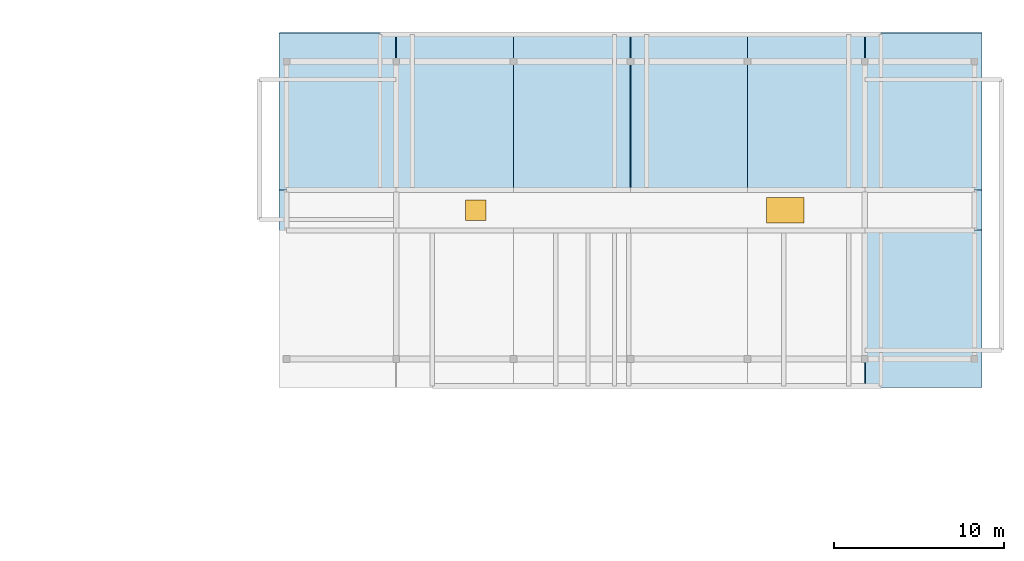
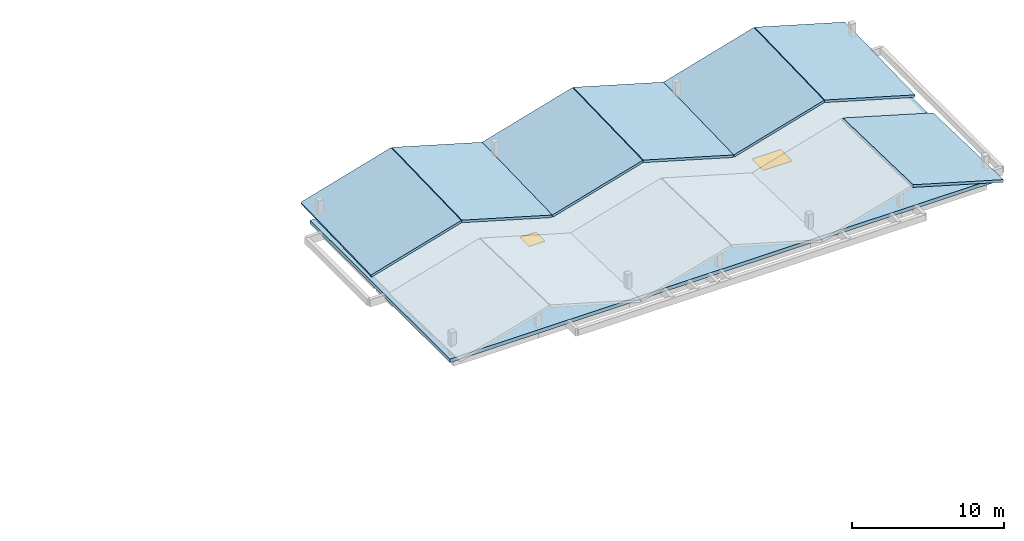
# One storey, part 6 of 21: 8 slabs, 2 windows, 2 openings.
"""IFC4 building model written with IfcOpenShell, lengths in metres."""

from ifc_helpers import new_model, si_unit, direction, frame, origin, origin_2d, place, context, subcontext, project, spatial, polyline, rectangle, outline, extrude, material, layer, layer_set, type_object, element, fill, save


model = new_model("IFC4")

# Units and contexts
model_context = context("Model", 3, precision=1e-05, world=origin(), true_north=direction((0.0, 1.0)))
body_context = subcontext(model_context, "Body", "Model", "MODEL_VIEW")
ifc_project = project(units=[si_unit("LENGTHUNIT", "METRE"), si_unit("AREAUNIT", "SQUARE_METRE"), si_unit("VOLUMEUNIT", "CUBIC_METRE"), si_unit("PLANEANGLEUNIT", "RADIAN"), si_unit("MASSUNIT", "GRAM", prefix="KILO")], contexts=[model_context])

# Site, building, storey
site_placement = place(None, origin())
site = spatial("IfcSite", under=ifc_project, at=site_placement, CompositionType="ELEMENT")
building_placement = place(site_placement, origin())
building = spatial("IfcBuilding", under=site, at=building_placement, Name="Zavelmont Quarter", CompositionType="ELEMENT")
storey_placement = place(building_placement, frame((0.0, 0.0, 36.800048828125)))
storey = spatial("IfcBuildingStorey", under=building, at=storey_placement, Name="L11", CompositionType="ELEMENT", Elevation=36.800048828125)

# Slabs
ifc_material_1 = material(Name="White architectural precast concrete C40/50", Category="concrete")
ifc_layer_1 = layer(ifc_material_1, 0.199951171875)
ifc_layer_set_1 = layer_set([ifc_layer_1], Name="White architectural precast concrete C40/50")
slab_type_1 = type_object("IfcSlabType", Name="CRCN1", PredefinedType="ROOF", material=ifc_layer_set_1)
slab_1_placement = place(storey_placement, frame((126.60009765625, 108.0, 0.449951171875), z_axis=(-0.278263518709, -0.02595011236, 0.960154157323), x_axis=(0.960477608597, 0.0, 0.278357258542)))
element("IfcSlab", 1, at=slab_1_placement, inside=storey, type_object=slab_type_1, Name="Block C pleated crown roof CRCN1", PredefinedType="ROOF", context=body_context, shape_type="SweptSolid", body=[
    extrude(outline(polyline([(0.0, 0.0), (7.1525592948565135, -6.938893903907228e-18), (7.222148609492001, 9.25311608742096), (0.06958931463548745, 9.253116087420961), (0.0, 0.0)])), origin(), (0.0, 0.0, -1.0), 0.199951171875),
])
ifc_layer_2 = layer(ifc_material_1, 0.199951171875)
ifc_layer_set_2 = layer_set([ifc_layer_2], Name="White architectural precast concrete C40/50")
slab_type_2 = type_object("IfcSlabType", Name="CRCN2", PredefinedType="ROOF", material=ifc_layer_set_2)
slab_2_placement = place(storey_placement, frame((133.530029296875, 108.0, 2.44091796875), z_axis=(0.278263518709, -0.02595011236, 0.960154157323), x_axis=(0.960477608597, 0.0, -0.278357258542)))
element("IfcSlab", 2, at=slab_2_placement, inside=storey, type_object=slab_type_2, Name="Block C pleated crown roof CRCN2", PredefinedType="ROOF", context=body_context, shape_type="SweptSolid", body=[
    extrude(outline(polyline([(0.0, 0.0), (7.1525592948565135, 6.938893903907228e-18), (7.0829699802210255, 9.253116087420961), (-0.06958931463548745, 9.253116087420961), (0.0, 0.0)])), origin(), (0.0, 0.0, -1.0), 0.199951171875),
])
ifc_layer_3 = layer(ifc_material_1, 0.199951171875)
ifc_layer_set_3 = layer_set([ifc_layer_3], Name="White architectural precast concrete C40/50")
slab_type_3 = type_object("IfcSlabType", Name="CRCN3", PredefinedType="ROOF", material=ifc_layer_set_3)
slab_3_placement = place(storey_placement, frame((140.39990234375, 108.0, 0.449951171875), z_axis=(-0.278254395807, -0.025950183764, 0.960156799266), x_axis=(0.960480253212, 0.0, 0.278348133082)))
element("IfcSlab", 3, at=slab_3_placement, inside=storey, type_object=slab_type_3, Name="Block C pleated crown roof CRCN3", PredefinedType="ROOF", context=body_context, shape_type="SweptSolid", body=[
    extrude(outline(polyline([(0.0, 0.0), (7.1527937867830085, 0.0), (7.222380820053628, 9.253116104577991), (0.06958703327061955, 9.253116104577991), (0.0, 0.0)])), origin(), (0.0, 0.0, -1.0), 0.199951171875),
])
ifc_layer_4 = layer(ifc_material_1, 0.199951171875)
ifc_layer_set_4 = layer_set([ifc_layer_4], Name="White architectural precast concrete C40/50")
slab_type_4 = type_object("IfcSlabType", Name="CRCN4", PredefinedType="ROOF", material=ifc_layer_set_4)
slab_4_placement = place(storey_placement, frame((147.330078125, 108.0, 2.44091796875), z_axis=(0.278263518709, -0.02595011236, 0.960154157323), x_axis=(0.960477608597, 0.0, -0.278357258542)))
element("IfcSlab", 4, at=slab_4_placement, inside=storey, type_object=slab_type_4, Name="Block C pleated crown roof CRCN4", PredefinedType="ROOF", context=body_context, shape_type="SweptSolid", body=[
    extrude(outline(polyline([(0.0, 0.0), (7.1525592948565135, 6.938893903907228e-18), (7.0829699802210255, 9.253116087420961), (-0.06958931463548745, 9.253116087420961), (0.0, 0.0)])), origin(), (0.0, 0.0, -1.0), 0.199951171875),
])
ifc_layer_5 = layer(ifc_material_1, 0.199951171875)
ifc_layer_set_5 = layer_set([ifc_layer_5], Name="White architectural precast concrete C40/50")
slab_type_5 = type_object("IfcSlabType", Name="CRCN5", PredefinedType="ROOF", material=ifc_layer_set_5)
slab_5_placement = place(storey_placement, frame((154.199951171875, 108.0, 0.449951171875), z_axis=(-0.278254395807, -0.025950183764, 0.960156799266), x_axis=(0.960480253212, 0.0, 0.278348133082)))
element("IfcSlab", 5, at=slab_5_placement, inside=storey, type_object=slab_type_5, Name="Block C pleated crown roof CRCN5", PredefinedType="ROOF", context=body_context, shape_type="SweptSolid", body=[
    extrude(outline(polyline([(0.0, 0.0), (7.1527937867830085, 0.0), (7.222380820053628, 9.253116104577991), (0.06958703327061955, 9.253116104577991), (0.0, 0.0)])), origin(), (0.0, 0.0, -1.0), 0.199951171875),
])
ifc_layer_6 = layer(ifc_material_1, 0.199951171875)
ifc_layer_set_6 = layer_set([ifc_layer_6], Name="White architectural precast concrete C40/50")
slab_type_6 = type_object("IfcSlabType", Name="CRCN6", PredefinedType="ROOF", material=ifc_layer_set_6)
slab_6_placement = place(storey_placement, frame((161.1298828125, 108.0, 2.44091796875), z_axis=(0.278254395807, -0.025950183764, 0.960156799266), x_axis=(0.960480253212, 0.0, -0.278348133082)))
element("IfcSlab", 6, at=slab_6_placement, inside=storey, type_object=slab_type_6, Name="Block C pleated crown roof CRCN6", PredefinedType="ROOF", context=body_context, shape_type="SweptSolid", body=[
    extrude(outline(polyline([(0.0, 0.0), (7.1527937867830085, 0.0), (7.083206753512389, 9.253116104577991), (-0.06958703327061955, 9.253116104577991), (0.0, 0.0)])), origin(), (0.0, 0.0, -1.0), 0.199951171875),
])
ifc_layer_7 = layer(ifc_material_1, 0.199951171875)
ifc_layer_set_7 = layer_set([ifc_layer_7], Name="White architectural precast concrete C40/50")
slab_type_7 = type_object("IfcSlabType", Name="CRCS6", PredefinedType="ROOF", material=ifc_layer_set_7)
slab_7_placement = place(storey_placement, frame((161.1298828125, 96.35009765625, 2.69091796875), z_axis=(0.278254898233, 0.025880556403, 0.960158532957), x_axis=(0.960480253212, 0.0, -0.278348133082)))
element("IfcSlab", 7, at=slab_7_placement, inside=storey, type_object=slab_type_7, Name="Block C pleated crown roof CRCS6", PredefinedType="ROOF", context=body_context, shape_type="SweptSolid", body=[
    extrude(outline(polyline([(0.0, 0.0), (7.1527937867830085, 6.938893903907228e-18), (7.222380820053628, 9.278010084651765), (0.06958703327061955, 9.278010084651765), (0.0, 0.0)])), origin(), (0.0, 0.0, -1.0), 0.199951171875),
])

# Slab, openings, windows
ifc_material_2 = material(Name="Concrete C35/45", Category="concrete")
ifc_layer_8 = layer(ifc_material_2, 0.2900390625)
ifc_layer_set_8 = layer_set([ifc_layer_8], Name="Concrete C35/45")
slab_type_8 = type_object("IfcSlabType", Name="SL-RF290", PredefinedType="ROOF", material=ifc_layer_set_8)
slab_8_placement = place(storey_placement, frame((0.0, 0.0, -0.2900390625)))
slab_8 = element("IfcSlab", 8, at=slab_8_placement, inside=storey, type_object=slab_type_8, Name="L11 Block C main roof slab SL-RF290", PredefinedType="ROOF", context=body_context, shape_type="SweptSolid", body=[
    extrude(outline(polyline([(126.60009765625, 97.60009765625), (168.0, 97.60009765625), (168.0, 116.0), (126.60009765625, 116.0), (126.60009765625, 97.60009765625)])), origin(), (0.0, 0.0, 1.0), 0.2900390625),
])
opening_1_placement = place(slab_8_placement, frame((138.19189453125, 106.800048828125, 0.0)))
opening_1 = element("IfcOpeningElement", 9, at=opening_1_placement, cuts=slab_8, Name="Opening SK05", PredefinedType="OPENING", context=body_context, shape_type="SweptSolid", body=[
    extrude(rectangle(XDim=1.199951171875, YDim=1.199951171875, at=origin_2d()), frame((0.0, 0.0, -0.011962890625)), (0.0, 0.0, 1.0), 0.31396484375),
])
opening_2_placement = place(slab_8_placement, frame((156.407958984375, 106.800048828125, 0.0)))
opening_2 = element("IfcOpeningElement", 10, at=opening_2_placement, cuts=slab_8, Name="Opening SK06", PredefinedType="OPENING", context=body_context, shape_type="SweptSolid", body=[
    extrude(rectangle(XDim=2.199951171875, YDim=1.5, at=origin_2d()), frame((0.0, 0.0, -0.011962890625)), (0.0, 0.0, 1.0), 0.31396484375),
])
ifc_material_3 = material(Name="Double low-E insulated glazing in thermally broken aluminium frame", Category="aluminium")
window_type_1 = type_object("IfcWindowType", Name="SK05", PartitioningType="SINGLE_PANEL", PredefinedType="SKYLIGHT", material=ifc_material_3)
window_1_placement = place(opening_1_placement, frame((0.0, 0.0, 0.239990234375)))
window_1 = element("IfcWindow", 11, at=window_1_placement, inside=storey, type_object=window_type_1, Name="Block C corridor skylight SK05", OverallHeight=1.199951171875, OverallWidth=1.199951171875, PartitioningType="SINGLE_PANEL", PredefinedType="SKYLIGHT", context=body_context, shape_type="SweptSolid", body=[
    extrude(rectangle(XDim=1.199951171875, YDim=1.199951171875, at=origin_2d()), origin(), (0.0, 0.0, 1.0), 0.050048828125),
])
fill(opening_1, window_1)
window_type_2 = type_object("IfcWindowType", Name="SK06", PartitioningType="SINGLE_PANEL", PredefinedType="SKYLIGHT", material=ifc_material_3)
window_2_placement = place(opening_2_placement, frame((0.0, 0.0, 0.239990234375)))
window_2 = element("IfcWindow", 12, at=window_2_placement, inside=storey, type_object=window_type_2, Name="Block C corridor skylight SK06", OverallHeight=1.5, OverallWidth=2.199951171875, PartitioningType="SINGLE_PANEL", PredefinedType="SKYLIGHT", context=body_context, shape_type="SweptSolid", body=[
    extrude(rectangle(XDim=2.199951171875, YDim=1.5, at=origin_2d()), origin(), (0.0, 0.0, 1.0), 0.050048828125),
])
fill(opening_2, window_2)

save(model, "model.ifc")
